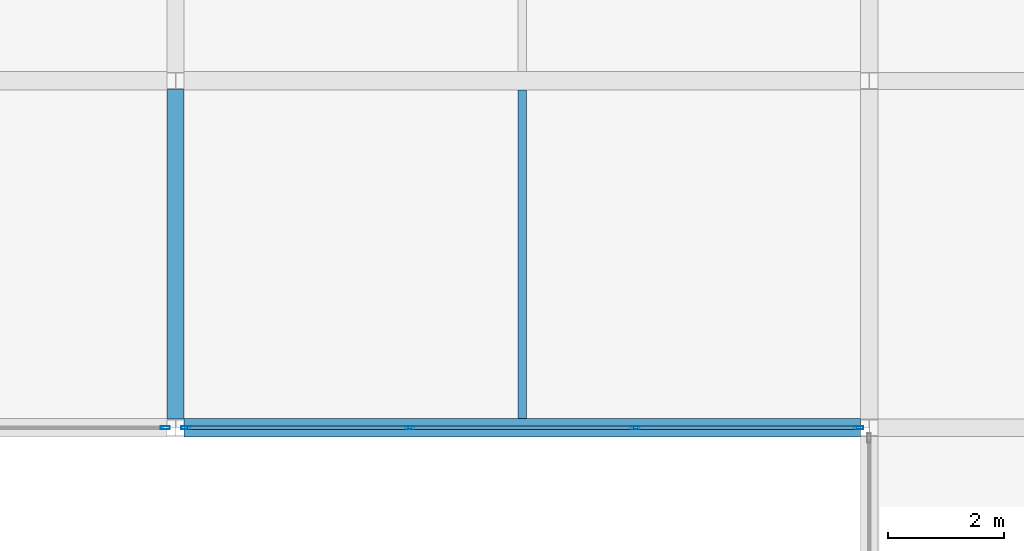
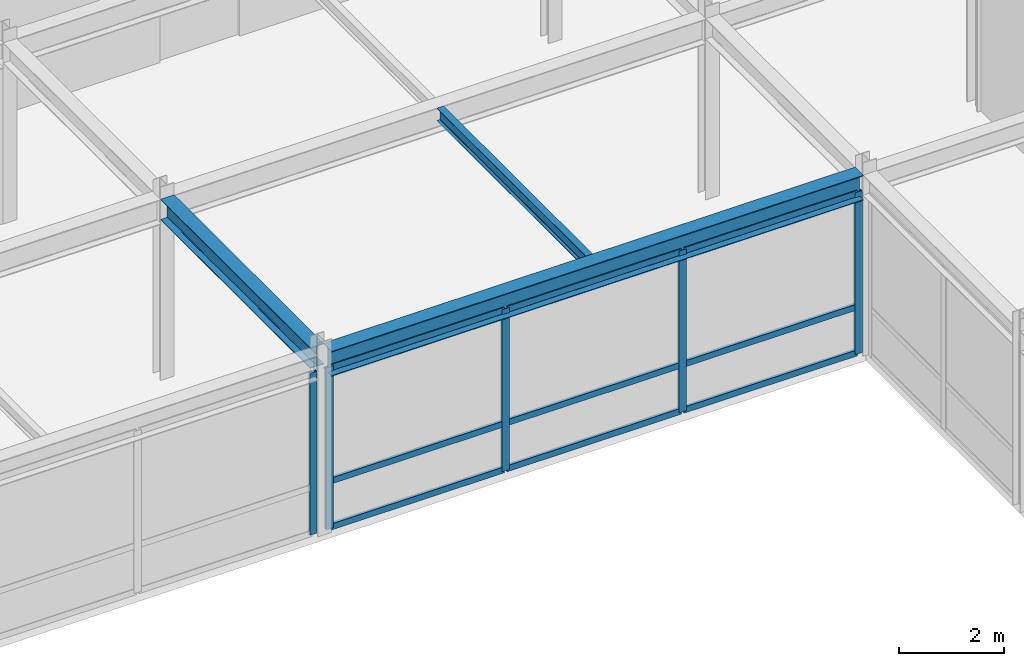
# One storey, part 71 of 108: 14 members, 3 beams, 2 elements without a shape of their own.
"""IFC4 building model written with IfcOpenShell, lengths in metres."""

from ifc_helpers import new_model, si_unit, direction, frame, origin, origin_2d, place, context, subcontext, project, spatial, hollow_rectangle, i_section, extrude, material, layer, layer_set, material_profile, profile_set, type_object, element, aggregate, save


model = new_model("IFC4")

# Units and contexts
model_context = context("Model", 3, precision=1e-05, world=origin(), true_north=direction((0.0, 1.0)))
body_context = subcontext(model_context, "Body", "Model", "MODEL_VIEW")
ifc_project = project(units=[si_unit("LENGTHUNIT", "METRE"), si_unit("AREAUNIT", "SQUARE_METRE"), si_unit("VOLUMEUNIT", "CUBIC_METRE"), si_unit("PLANEANGLEUNIT", "RADIAN"), si_unit("MASSUNIT", "GRAM", prefix="KILO")], contexts=[model_context])

# Site, building, storey
site_placement = place(None, origin())
site = spatial("IfcSite", under=ifc_project, at=site_placement, CompositionType="ELEMENT")
building_placement = place(site_placement, origin())
building = spatial("IfcBuilding", under=site, at=building_placement, Name="Zlatovratsky Civic Hall", CompositionType="ELEMENT")
storey_placement = place(building_placement, frame((0.0, 0.0, 12.0)))
storey = spatial("IfcBuildingStorey", under=building, at=storey_placement, Name="L03", CompositionType="ELEMENT", Elevation=12.0)

# Beams
ifc_material_1 = material(Name="Steel S355", Category="steel")
ifc_material_profile_1 = material_profile(ifc_material_1, i_section(OverallWidth=0.300048828125, OverallDepth=0.48193359375, WebThickness=0.010986328125, FlangeThickness=0.014892578125, FilletRadius=0.02392578125, at=origin_2d()), Name="50Sh1")
ifc_profile_set_1 = profile_set([ifc_material_profile_1], Name="Steel S355")
beam_type_1 = type_object("IfcBeamType", Name="Beam_LibraryGirder_50Sh1", PredefinedType="BEAM", material=ifc_profile_set_1)
beam_1_placement = place(storey_placement, frame((36.0, 66.14794921875, 3.97900390625), z_axis=(0.0, 1.0, 0.0), x_axis=(-1.0, 0.0, 0.0)))
element("IfcBeam", 1, at=beam_1_placement, inside=storey, type_object=beam_type_1, Name="BM-2858", PredefinedType="BEAM", context=body_context, shape_type="SweptSolid", body=[
    extrude(i_section(OverallWidth=0.300048828125, OverallDepth=0.48193359375, WebThickness=0.010986328125, FlangeThickness=0.014892578125, FilletRadius=0.02392578125, at=origin_2d()), origin(), (0.0, 0.0, 1.0), 5.7041015625),
])
ifc_material_profile_2 = material_profile(ifc_material_1, i_section(OverallWidth=0.320068359375, OverallDepth=0.58203125, WebThickness=0.011962890625, FlangeThickness=0.01708984375, FilletRadius=0.02392578125, at=origin_2d()), Name="60Sh1")
ifc_profile_set_2 = profile_set([ifc_material_profile_2], Name="Steel S355")
beam_type_2 = type_object("IfcBeamType", Name="Beam_PodiumGirder_60Sh1", PredefinedType="BEAM", material=ifc_profile_set_2)
beam_2_placement = place(storey_placement, frame((36.1494140625, 66.0, 3.928955078125), z_axis=(1.0, 0.0, 0.0), x_axis=(0.0, 1.0, 0.0)))
element("IfcBeam", 2, at=beam_2_placement, inside=storey, type_object=beam_type_2, Name="BM-2609", PredefinedType="BEAM", context=body_context, shape_type="SweptSolid", body=[
    extrude(i_section(OverallWidth=0.320068359375, OverallDepth=0.58203125, WebThickness=0.011962890625, FlangeThickness=0.01708984375, FilletRadius=0.02392578125, at=origin_2d()), origin(), (0.0, 0.0, 1.0), 11.701171875),
])

# Curtain wall, member
ifc_material_2 = material(Name="Anodised bronze aluminium", Category="aluminium")
ifc_layer = layer(ifc_material_2, 0.159912109375)
ifc_layer_set = layer_set([ifc_layer], Name="Anodised bronze aluminium")
curtain_wall_type = type_object("IfcCurtainWallType", Name="CurtainWall_Bronze_11700x3770_11", PredefinedType="NOTDEFINED", material=ifc_layer_set)
curtain_wall_1_placement = place(storey_placement, origin())
curtain_wall_1 = element("IfcCurtainWall", 3, at=curtain_wall_1_placement, inside=storey, type_object=curtain_wall_type, Name="CW-055", PredefinedType="NOTDEFINED")
ifc_material_profile_3 = material_profile(ifc_material_2, hollow_rectangle(XDim=0.06005859375, YDim=0.159912109375, WallThickness=0.00390625, at=origin_2d()), Name="ALU 60x160x4")
ifc_profile_set_3 = profile_set([ifc_material_profile_3], Name="Anodised bronze aluminium")
member_type_1 = type_object("IfcMemberType", Name="CW_Mullion_60x160", PredefinedType="MULLION", material=ifc_profile_set_3)
member_1_placement = place(storey_placement, frame((35.820556640625, 66.0, 0.0), z_axis=(0.0, 0.0, 1.0), x_axis=(0.0, 1.0, 0.0)))
member_1 = element("IfcMember", 4, at=member_1_placement, type_object=member_type_1, Name="CW-11 mullion 4", PredefinedType="MULLION", context=body_context, shape_type="SweptSolid", body=[
    extrude(hollow_rectangle(XDim=0.06005859375, YDim=0.159912109375, WallThickness=0.00390625, at=origin_2d()), origin(), (0.0, 0.0, 1.0), 3.77001953125),
])
aggregate(curtain_wall_1, [member_1])

# Curtain wall, members
curtain_wall_2_placement = place(storey_placement, origin())
curtain_wall_2 = element("IfcCurtainWall", 5, at=curtain_wall_2_placement, inside=storey, type_object=curtain_wall_type, Name="CW-056", PredefinedType="NOTDEFINED")
member_2_placement = place(storey_placement, frame((36.179443359375, 66.0, 0.0), z_axis=(0.0, 0.0, 1.0), x_axis=(0.0, 1.0, 0.0)))
member_2 = element("IfcMember", 6, at=member_2_placement, type_object=member_type_1, Name="CW-11 mullion 1", PredefinedType="MULLION", context=body_context, shape_type="SweptSolid", body=[
    extrude(hollow_rectangle(XDim=0.06005859375, YDim=0.159912109375, WallThickness=0.00390625, at=origin_2d()), origin(), (0.0, 0.0, 1.0), 3.77001953125),
])
member_3_placement = place(storey_placement, frame((40.0498046875, 66.0, 0.0), z_axis=(0.0, 0.0, 1.0), x_axis=(0.0, 1.0, 0.0)))
member_3 = element("IfcMember", 7, at=member_3_placement, type_object=member_type_1, Name="CW-11 mullion 2", PredefinedType="MULLION", context=body_context, shape_type="SweptSolid", body=[
    extrude(hollow_rectangle(XDim=0.06005859375, YDim=0.159912109375, WallThickness=0.00390625, at=origin_2d()), origin(), (0.0, 0.0, 1.0), 3.77001953125),
])
member_4_placement = place(storey_placement, frame((43.9501953125, 66.0, 0.0), z_axis=(0.0, 0.0, 1.0), x_axis=(0.0, 1.0, 0.0)))
member_4 = element("IfcMember", 8, at=member_4_placement, type_object=member_type_1, Name="CW-11 mullion 3", PredefinedType="MULLION", context=body_context, shape_type="SweptSolid", body=[
    extrude(hollow_rectangle(XDim=0.06005859375, YDim=0.159912109375, WallThickness=0.00390625, at=origin_2d()), origin(), (0.0, 0.0, 1.0), 3.77001953125),
])
member_5_placement = place(storey_placement, frame((47.820556640625, 66.0, 0.0), z_axis=(0.0, 0.0, 1.0), x_axis=(0.0, 1.0, 0.0)))
member_5 = element("IfcMember", 9, at=member_5_placement, type_object=member_type_1, Name="CW-11 mullion 4", PredefinedType="MULLION", context=body_context, shape_type="SweptSolid", body=[
    extrude(hollow_rectangle(XDim=0.06005859375, YDim=0.159912109375, WallThickness=0.00390625, at=origin_2d()), origin(), (0.0, 0.0, 1.0), 3.77001953125),
])
ifc_material_profile_4 = material_profile(ifc_material_2, hollow_rectangle(XDim=0.06005859375, YDim=0.139892578125, WallThickness=0.00390625, at=origin_2d()), Name="ALU 60x140x4")
ifc_profile_set_4 = profile_set([ifc_material_profile_4], Name="Anodised bronze aluminium")
member_type_2 = type_object("IfcMemberType", Name="CW_Transom_60x140", PredefinedType="USERDEFINED", material=ifc_profile_set_4)
member_6_placement = place(storey_placement, frame((36.20947265625, 66.0, 0.030029296875), z_axis=(1.0, 0.0, 0.0), x_axis=(0.0, 1.0, 0.0)))
member_6 = element("IfcMember", 10, at=member_6_placement, type_object=member_type_2, Name="CW-11 transom 1.1", ObjectType="TRANSOM", PredefinedType="USERDEFINED", context=body_context, shape_type="SweptSolid", body=[
    extrude(hollow_rectangle(XDim=0.06005859375, YDim=0.139892578125, WallThickness=0.00390625, at=origin_2d()), origin(), (0.0, 0.0, 1.0), 3.810302734375),
])
member_7_placement = place(storey_placement, frame((36.20947265625, 66.0, 1.10009765625), z_axis=(1.0, 0.0, 0.0), x_axis=(0.0, 1.0, 0.0)))
member_7 = element("IfcMember", 11, at=member_7_placement, type_object=member_type_2, Name="CW-11 transom 1.2", ObjectType="TRANSOM", PredefinedType="USERDEFINED", context=body_context, shape_type="SweptSolid", body=[
    extrude(hollow_rectangle(XDim=0.06005859375, YDim=0.139892578125, WallThickness=0.00390625, at=origin_2d()), origin(), (0.0, 0.0, 1.0), 3.810302734375),
])
member_8_placement = place(storey_placement, frame((36.20947265625, 66.0, 3.739990234375), z_axis=(1.0, 0.0, 0.0), x_axis=(0.0, 1.0, 0.0)))
member_8 = element("IfcMember", 12, at=member_8_placement, type_object=member_type_2, Name="CW-11 transom 1.3", ObjectType="TRANSOM", PredefinedType="USERDEFINED", context=body_context, shape_type="SweptSolid", body=[
    extrude(hollow_rectangle(XDim=0.06005859375, YDim=0.139892578125, WallThickness=0.00390625, at=origin_2d()), origin(), (0.0, 0.0, 1.0), 3.810302734375),
])
member_9_placement = place(storey_placement, frame((40.079833984375, 66.0, 0.030029296875), z_axis=(1.0, 0.0, 0.0), x_axis=(0.0, 1.0, 0.0)))
member_9 = element("IfcMember", 13, at=member_9_placement, type_object=member_type_2, Name="CW-11 transom 2.1", ObjectType="TRANSOM", PredefinedType="USERDEFINED", context=body_context, shape_type="SweptSolid", body=[
    extrude(hollow_rectangle(XDim=0.06005859375, YDim=0.139892578125, WallThickness=0.00390625, at=origin_2d()), origin(), (0.0, 0.0, 1.0), 3.84033203125),
])
member_10_placement = place(storey_placement, frame((40.079833984375, 66.0, 1.10009765625), z_axis=(1.0, 0.0, 0.0), x_axis=(0.0, 1.0, 0.0)))
member_10 = element("IfcMember", 14, at=member_10_placement, type_object=member_type_2, Name="CW-11 transom 2.2", ObjectType="TRANSOM", PredefinedType="USERDEFINED", context=body_context, shape_type="SweptSolid", body=[
    extrude(hollow_rectangle(XDim=0.06005859375, YDim=0.139892578125, WallThickness=0.00390625, at=origin_2d()), origin(), (0.0, 0.0, 1.0), 3.84033203125),
])
member_11_placement = place(storey_placement, frame((40.079833984375, 66.0, 3.739990234375), z_axis=(1.0, 0.0, 0.0), x_axis=(0.0, 1.0, 0.0)))
member_11 = element("IfcMember", 15, at=member_11_placement, type_object=member_type_2, Name="CW-11 transom 2.3", ObjectType="TRANSOM", PredefinedType="USERDEFINED", context=body_context, shape_type="SweptSolid", body=[
    extrude(hollow_rectangle(XDim=0.06005859375, YDim=0.139892578125, WallThickness=0.00390625, at=origin_2d()), origin(), (0.0, 0.0, 1.0), 3.84033203125),
])
member_12_placement = place(storey_placement, frame((43.980224609375, 66.0, 0.030029296875), z_axis=(1.0, 0.0, 0.0), x_axis=(0.0, 1.0, 0.0)))
member_12 = element("IfcMember", 16, at=member_12_placement, type_object=member_type_2, Name="CW-11 transom 3.1", ObjectType="TRANSOM", PredefinedType="USERDEFINED", context=body_context, shape_type="SweptSolid", body=[
    extrude(hollow_rectangle(XDim=0.06005859375, YDim=0.139892578125, WallThickness=0.00390625, at=origin_2d()), origin(), (0.0, 0.0, 1.0), 3.810302734375),
])
member_13_placement = place(storey_placement, frame((43.980224609375, 66.0, 1.10009765625), z_axis=(1.0, 0.0, 0.0), x_axis=(0.0, 1.0, 0.0)))
member_13 = element("IfcMember", 17, at=member_13_placement, type_object=member_type_2, Name="CW-11 transom 3.2", ObjectType="TRANSOM", PredefinedType="USERDEFINED", context=body_context, shape_type="SweptSolid", body=[
    extrude(hollow_rectangle(XDim=0.06005859375, YDim=0.139892578125, WallThickness=0.00390625, at=origin_2d()), origin(), (0.0, 0.0, 1.0), 3.810302734375),
])
member_14_placement = place(storey_placement, frame((43.980224609375, 66.0, 3.739990234375), z_axis=(1.0, 0.0, 0.0), x_axis=(0.0, 1.0, 0.0)))
member_14 = element("IfcMember", 18, at=member_14_placement, type_object=member_type_2, Name="CW-11 transom 3.3", ObjectType="TRANSOM", PredefinedType="USERDEFINED", context=body_context, shape_type="SweptSolid", body=[
    extrude(hollow_rectangle(XDim=0.06005859375, YDim=0.139892578125, WallThickness=0.00390625, at=origin_2d()), origin(), (0.0, 0.0, 1.0), 3.810302734375),
])
aggregate(curtain_wall_2, [member_2, member_3, member_4, member_5, member_6, member_7, member_8, member_9, member_10, member_11, member_12, member_13, member_14])

# Beam
ifc_material_profile_5 = material_profile(ifc_material_1, i_section(OverallWidth=0.14892578125, OverallDepth=0.2958984375, WebThickness=0.005615234375, FlangeThickness=0.008056640625, FilletRadius=0.012939453125, at=origin_2d()), Name="30B1")
ifc_profile_set_5 = profile_set([ifc_material_profile_5], Name="Steel S355")
beam_type_3 = type_object("IfcBeamType", Name="Joist_Tower_30B1", PredefinedType="JOIST", material=ifc_profile_set_5)
beam_3_placement = place(storey_placement, frame((42.0, 66.159912109375, 4.072021484375), z_axis=(0.0, 1.0, 0.0), x_axis=(-1.0, 0.0, 0.0)))
element("IfcBeam", 19, at=beam_3_placement, inside=storey, type_object=beam_type_3, Name="BM-3152", PredefinedType="JOIST", context=body_context, shape_type="SweptSolid", body=[
    extrude(i_section(OverallWidth=0.14892578125, OverallDepth=0.2958984375, WebThickness=0.005615234375, FlangeThickness=0.008056640625, FilletRadius=0.012939453125, at=origin_2d()), origin(), (0.0, 0.0, 1.0), 5.68017578125),
])

save(model, "model.ifc")
